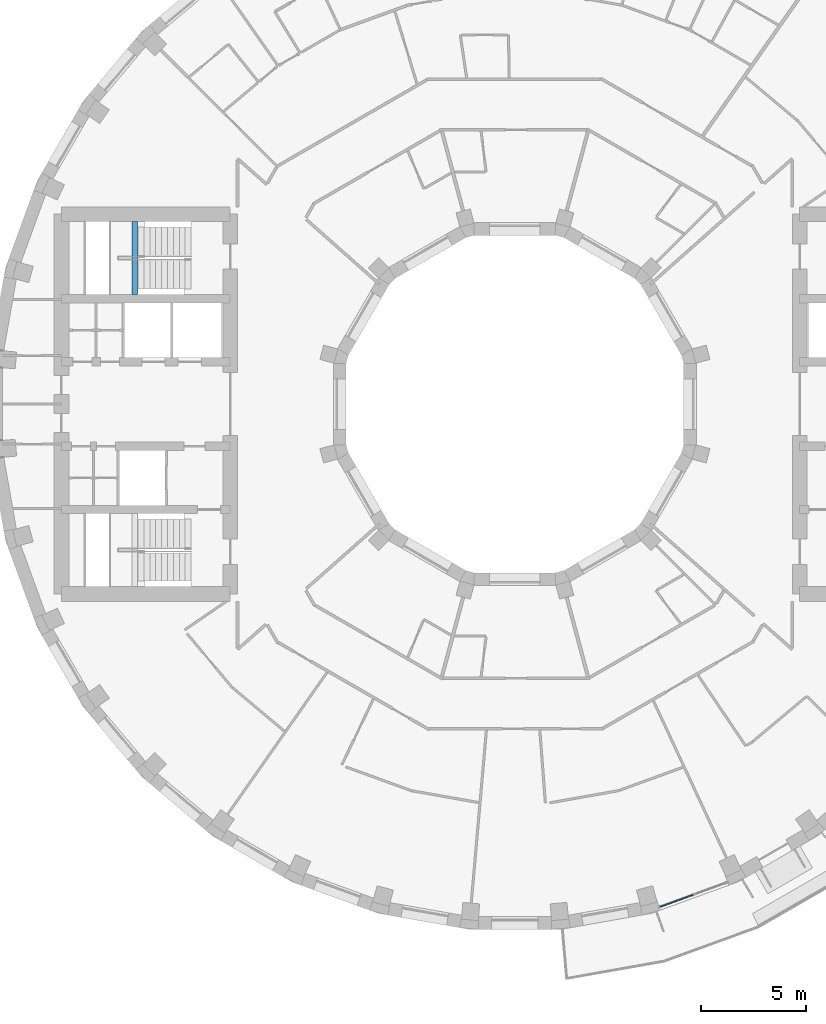
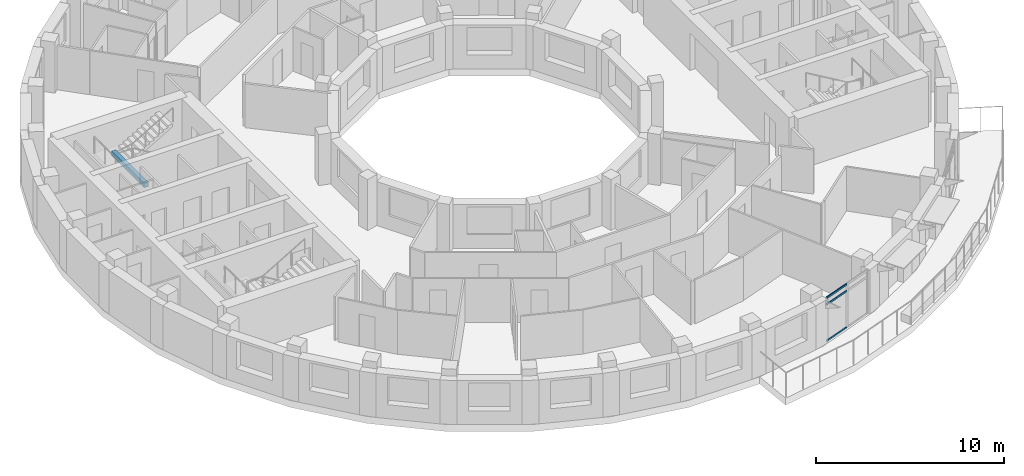
# One storey, part 3 of 15: 3 members, 1 beam, 1 element without a shape of its own.
"""IFC4 building model written with IfcOpenShell, lengths in metres."""

from ifc_helpers import new_model, si_unit, direction, frame, origin, origin_2d, place, context, subcontext, project, spatial, rectangle, extrude, material, layer, layer_set, material_profile, profile_set, type_object, element, aggregate, save


model = new_model("IFC4")

# Units and contexts
model_context = context("Model", 3, precision=1e-05, world=origin(), true_north=direction((0.0, 1.0)))
body_context = subcontext(model_context, "Body", "Model", "MODEL_VIEW")
ifc_project = project(units=[si_unit("LENGTHUNIT", "METRE"), si_unit("AREAUNIT", "SQUARE_METRE"), si_unit("VOLUMEUNIT", "CUBIC_METRE"), si_unit("PLANEANGLEUNIT", "RADIAN"), si_unit("MASSUNIT", "GRAM", prefix="KILO")], contexts=[model_context])

# Site, building, storey
site_placement = place(None, origin())
site = spatial("IfcSite", under=ifc_project, at=site_placement, CompositionType="ELEMENT")
building_placement = place(site_placement, origin())
building = spatial("IfcBuilding", under=site, at=building_placement, Name="Saqina Gate Tower", CompositionType="ELEMENT")
storey_placement = place(building_placement, frame((0.0, 0.0, 160.800048828125)))
storey = spatial("IfcBuildingStorey", under=building, at=storey_placement, Name="L45", CompositionType="ELEMENT", Elevation=160.800048828125)

# Curtain wall, members
ifc_material_1 = material(Name="Aluminium glazing", Category="aluminium")
ifc_layer = layer(ifc_material_1, 0.159912109375)
ifc_layer_set = layer_set([ifc_layer], Name="CWT-4")
curtain_wall_type = type_object("IfcCurtainWallType", Name="CWT-4", PredefinedType="NOTDEFINED", material=ifc_layer_set)
curtain_wall_placement = place(storey_placement, origin())
curtain_wall = element("IfcCurtainWall", 1, at=curtain_wall_placement, inside=storey, type_object=curtain_wall_type, Name="Terrace lounge glazing facet 29", PredefinedType="NOTDEFINED")
ifc_material_2 = material(Name="Aluminium", Category="aluminium")
ifc_material_profile_1 = material_profile(ifc_material_2, rectangle(XDim=0.06005859375, YDim=0.1201171875, at=origin_2d()), Name="Aluminium 60x120")
ifc_profile_set_1 = profile_set([ifc_material_profile_1], Name="Aluminium")
member_type = type_object("IfcMemberType", Name="CWT-4T", PredefinedType="USERDEFINED", material=ifc_profile_set_1)
member_1_placement = place(storey_placement, frame((6.902099609375, -23.831298828125, 0.030029296875), z_axis=(0.939714920276, 0.341958869765, 0.0), x_axis=(-0.341958869765, 0.939714920276, 0.0)))
member_1 = element("IfcMember", 2, at=member_1_placement, type_object=member_type, Name="CW4-29 transom 1.1", ObjectType="TRANSOM", PredefinedType="USERDEFINED", context=body_context, shape_type="SweptSolid", body=[
    extrude(rectangle(XDim=0.06005859375, YDim=0.1201171875, at=origin_2d()), origin(), (0.0, 0.0, 1.0), 1.635009765625),
])
member_2_placement = place(storey_placement, frame((6.902099609375, -23.831298828125, 2.39990234375), z_axis=(0.939714920276, 0.341958869765, 0.0), x_axis=(-0.341958869765, 0.939714920276, 0.0)))
member_2 = element("IfcMember", 3, at=member_2_placement, type_object=member_type, Name="CW4-29 transom 1.2", ObjectType="TRANSOM", PredefinedType="USERDEFINED", context=body_context, shape_type="SweptSolid", body=[
    extrude(rectangle(XDim=0.06005859375, YDim=0.1201171875, at=origin_2d()), origin(), (0.0, 0.0, 1.0), 1.635009765625),
])
member_3_placement = place(storey_placement, frame((6.902099609375, -23.831298828125, 2.820068359375), z_axis=(0.939714920276, 0.341958869765, 0.0), x_axis=(-0.341958869765, 0.939714920276, 0.0)))
member_3 = element("IfcMember", 4, at=member_3_placement, type_object=member_type, Name="CW4-29 transom 1.3", ObjectType="TRANSOM", PredefinedType="USERDEFINED", context=body_context, shape_type="SweptSolid", body=[
    extrude(rectangle(XDim=0.06005859375, YDim=0.1201171875, at=origin_2d()), origin(), (0.0, 0.0, 1.0), 1.635009765625),
])
aggregate(curtain_wall, [member_1, member_2, member_3])

# Beam
ifc_material_3 = material(Name="Concrete C40/50", Category="concrete")
ifc_material_profile_2 = material_profile(ifc_material_3, rectangle(XDim=0.25, YDim=0.300048828125, at=origin_2d()), Name="STAIR LANDING BEAM")
ifc_profile_set_2 = profile_set([ifc_material_profile_2], Name="Concrete C40/50")
beam_type = type_object("IfcBeamType", Name="STAIR LANDING BEAM", PredefinedType="BEAM", material=ifc_profile_set_2)
beam_placement = place(storey_placement, frame((-18.02001953125, 5.199951171875, 1.25), z_axis=(0.0, 1.0, 0.0), x_axis=(-1.0, 0.0, 0.0)))
element("IfcBeam", 5, at=beam_placement, inside=storey, type_object=beam_type, Name="EXIT STAIR 3 LANDING BEAM", PredefinedType="BEAM", context=body_context, shape_type="SweptSolid", body=[
    extrude(rectangle(XDim=0.25, YDim=0.300048828125, at=origin_2d()), origin(), (0.0, 0.0, 1.0), 3.449951171875),
])

save(model, "model.ifc")
